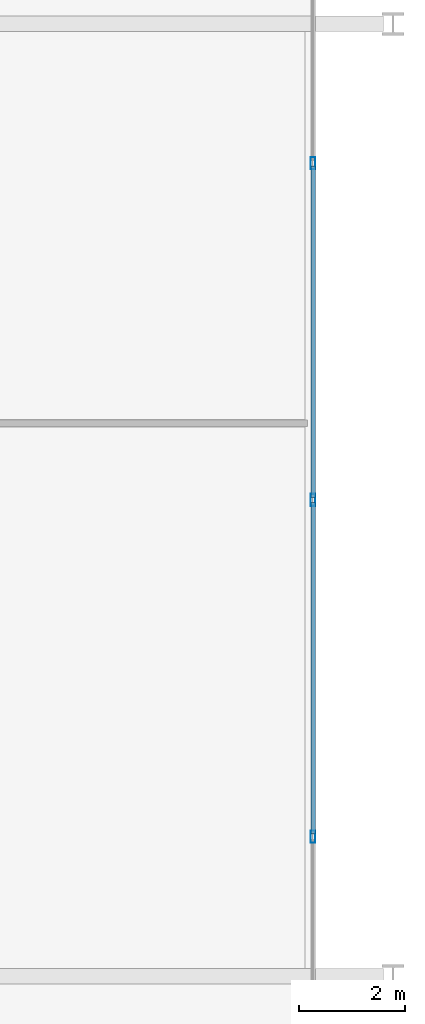
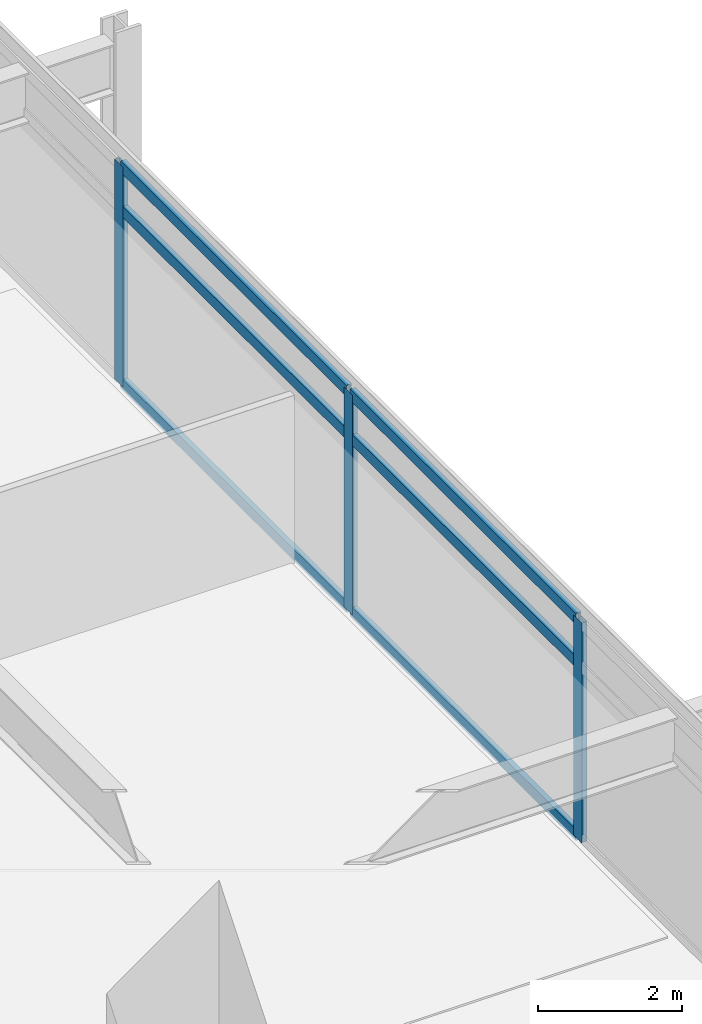
# One storey, part 9 of 22: 9 members, 1 element without a shape of its own.
"""IFC4 building model written with IfcOpenShell, lengths in metres."""

from ifc_helpers import new_model, si_unit, direction, frame, origin, origin_2d, place, context, subcontext, project, spatial, hollow_rectangle, extrude, material, material_profile, profile_set, type_object, element, aggregate, save


model = new_model("IFC4")

# Units and contexts
model_context = context("Model", 3, precision=1e-05, world=origin(), true_north=direction((0.0, 1.0)))
body_context = subcontext(model_context, "Body", "Model", "MODEL_VIEW")
ifc_project = project(units=[si_unit("LENGTHUNIT", "METRE"), si_unit("AREAUNIT", "SQUARE_METRE"), si_unit("VOLUMEUNIT", "CUBIC_METRE"), si_unit("PLANEANGLEUNIT", "RADIAN"), si_unit("MASSUNIT", "GRAM", prefix="KILO")], contexts=[model_context])

# Site, building, storey
site_placement = place(None, origin())
site = spatial("IfcSite", under=ifc_project, at=site_placement, CompositionType="ELEMENT")
building_placement = place(site_placement, origin())
building = spatial("IfcBuilding", under=site, at=building_placement, Name="Kovane Verandah Tower", CompositionType="ELEMENT")
storey_placement = place(building_placement, frame((0.0, 0.0, 71.60009765625)))
storey = spatial("IfcBuildingStorey", under=building, at=storey_placement, Name="L16", CompositionType="ELEMENT", Elevation=71.60009765625)

# Curtain wall, members
ifc_material_1 = material(Name="Champagne Anodised Aluminium Frame with Low-E Clear Laminated Glass", Category="aluminium")
curtain_wall_type = type_object("IfcCurtainWallType", Name="CW-SYS-02-LOW", PredefinedType="NOTDEFINED", material=ifc_material_1)
curtain_wall_placement = place(storey_placement, origin())
curtain_wall = element("IfcCurtainWall", 1, at=curtain_wall_placement, inside=storey, type_object=curtain_wall_type, Name="L16 E Unitised Curtain Wall", PredefinedType="NOTDEFINED")
ifc_material_2 = material(Name="Champagne Anodised Aluminium 6063-T6", Category="aluminium")
ifc_material_profile_1 = material_profile(ifc_material_2, hollow_rectangle(XDim=0.0849609375, YDim=0.22998046875, WallThickness=0.00390625, at=origin_2d()), Name="AL85x230x4")
ifc_profile_set_1 = profile_set([ifc_material_profile_1], Name="Champagne Anodised Aluminium 6063-T6")
member_type_1 = type_object("IfcMemberType", Name="CW-MUL-85x230", PredefinedType="MULLION", material=ifc_profile_set_1)
member_1_placement = place(storey_placement, frame((66.08642578125, 21.13330078125, 0.02001953125), z_axis=(0.0, 0.0, 1.0), x_axis=(1.0, 0.0, 0.0)))
member_1 = element("IfcMember", 2, at=member_1_placement, type_object=member_type_1, Name="L16 E Unitised Curtain Wall Mullion 3", PredefinedType="MULLION", context=body_context, shape_type="SweptSolid", body=[
    extrude(hollow_rectangle(XDim=0.0849609375, YDim=0.22998046875, WallThickness=0.00390625, at=origin_2d()), origin(), (0.0, 0.0, 1.0), 3.719970703125),
])
member_2_placement = place(storey_placement, frame((66.08642578125, 27.5, 0.02001953125), z_axis=(0.0, 0.0, 1.0), x_axis=(1.0, 0.0, 0.0)))
member_2 = element("IfcMember", 3, at=member_2_placement, type_object=member_type_1, Name="L16 E Unitised Curtain Wall Mullion 4", PredefinedType="MULLION", context=body_context, shape_type="SweptSolid", body=[
    extrude(hollow_rectangle(XDim=0.0849609375, YDim=0.22998046875, WallThickness=0.00390625, at=origin_2d()), origin(), (0.0, 0.0, 1.0), 3.719970703125),
])
member_3_placement = place(storey_placement, frame((66.08642578125, 33.86669921875, 0.02001953125), z_axis=(0.0, 0.0, 1.0), x_axis=(1.0, 0.0, 0.0)))
member_3 = element("IfcMember", 4, at=member_3_placement, type_object=member_type_1, Name="L16 E Unitised Curtain Wall Mullion 5", PredefinedType="MULLION", context=body_context, shape_type="SweptSolid", body=[
    extrude(hollow_rectangle(XDim=0.0849609375, YDim=0.22998046875, WallThickness=0.00390625, at=origin_2d()), origin(), (0.0, 0.0, 1.0), 3.719970703125),
])
ifc_material_profile_2 = material_profile(ifc_material_2, hollow_rectangle(XDim=0.0849609375, YDim=0.18994140625, WallThickness=0.00390625, at=origin_2d()), Name="AL85x190x4")
ifc_profile_set_2 = profile_set([ifc_material_profile_2], Name="Champagne Anodised Aluminium 6063-T6")
member_type_2 = type_object("IfcMemberType", Name="CW-TRN-85x190", PredefinedType="USERDEFINED", material=ifc_profile_set_2)
member_4_placement = place(storey_placement, frame((66.08642578125, 21.18310546875, 0.0498046875), z_axis=(0.0, 1.0, 0.0), x_axis=(-1.0, 0.0, 0.0)))
member_4 = element("IfcMember", 5, at=member_4_placement, type_object=member_type_2, Name="L16 E Unitised Curtain Wall Transom TB Bay 3", ObjectType="TRANSOM", PredefinedType="USERDEFINED", context=body_context, shape_type="SweptSolid", body=[
    extrude(hollow_rectangle(XDim=0.0849609375, YDim=0.18994140625, WallThickness=0.00390625, at=origin_2d()), origin(), (0.0, 0.0, 1.0), 6.266845703125),
])
member_5_placement = place(storey_placement, frame((66.08642578125, 21.18310546875, 2.97998046875), z_axis=(0.0, 1.0, 0.0), x_axis=(-1.0, 0.0, 0.0)))
member_5 = element("IfcMember", 6, at=member_5_placement, type_object=member_type_2, Name="L16 E Unitised Curtain Wall Transom TM Bay 3", ObjectType="TRANSOM", PredefinedType="USERDEFINED", context=body_context, shape_type="SweptSolid", body=[
    extrude(hollow_rectangle(XDim=0.0849609375, YDim=0.18994140625, WallThickness=0.00390625, at=origin_2d()), origin(), (0.0, 0.0, 1.0), 6.266845703125),
])
member_6_placement = place(storey_placement, frame((66.08642578125, 21.18310546875, 3.7099609375), z_axis=(0.0, 1.0, 0.0), x_axis=(-1.0, 0.0, 0.0)))
member_6 = element("IfcMember", 7, at=member_6_placement, type_object=member_type_2, Name="L16 E Unitised Curtain Wall Transom TT Bay 3", ObjectType="TRANSOM", PredefinedType="USERDEFINED", context=body_context, shape_type="SweptSolid", body=[
    extrude(hollow_rectangle(XDim=0.0849609375, YDim=0.18994140625, WallThickness=0.00390625, at=origin_2d()), origin(), (0.0, 0.0, 1.0), 6.266845703125),
])
member_7_placement = place(storey_placement, frame((66.08642578125, 27.550048828125, 0.0498046875), z_axis=(0.0, 1.0, 0.0), x_axis=(-1.0, 0.0, 0.0)))
member_7 = element("IfcMember", 8, at=member_7_placement, type_object=member_type_2, Name="L16 E Unitised Curtain Wall Transom TB Bay 4", ObjectType="TRANSOM", PredefinedType="USERDEFINED", context=body_context, shape_type="SweptSolid", body=[
    extrude(hollow_rectangle(XDim=0.0849609375, YDim=0.18994140625, WallThickness=0.00390625, at=origin_2d()), origin(), (0.0, 0.0, 1.0), 6.266845703125),
])
member_8_placement = place(storey_placement, frame((66.08642578125, 27.550048828125, 2.97998046875), z_axis=(0.0, 1.0, 0.0), x_axis=(-1.0, 0.0, 0.0)))
member_8 = element("IfcMember", 9, at=member_8_placement, type_object=member_type_2, Name="L16 E Unitised Curtain Wall Transom TM Bay 4", ObjectType="TRANSOM", PredefinedType="USERDEFINED", context=body_context, shape_type="SweptSolid", body=[
    extrude(hollow_rectangle(XDim=0.0849609375, YDim=0.18994140625, WallThickness=0.00390625, at=origin_2d()), origin(), (0.0, 0.0, 1.0), 6.266845703125),
])
member_9_placement = place(storey_placement, frame((66.08642578125, 27.550048828125, 3.7099609375), z_axis=(0.0, 1.0, 0.0), x_axis=(-1.0, 0.0, 0.0)))
member_9 = element("IfcMember", 10, at=member_9_placement, type_object=member_type_2, Name="L16 E Unitised Curtain Wall Transom TT Bay 4", ObjectType="TRANSOM", PredefinedType="USERDEFINED", context=body_context, shape_type="SweptSolid", body=[
    extrude(hollow_rectangle(XDim=0.0849609375, YDim=0.18994140625, WallThickness=0.00390625, at=origin_2d()), origin(), (0.0, 0.0, 1.0), 6.266845703125),
])
aggregate(curtain_wall, [member_1, member_2, member_3, member_4, member_5, member_6, member_7, member_8, member_9])

save(model, "model.ifc")
